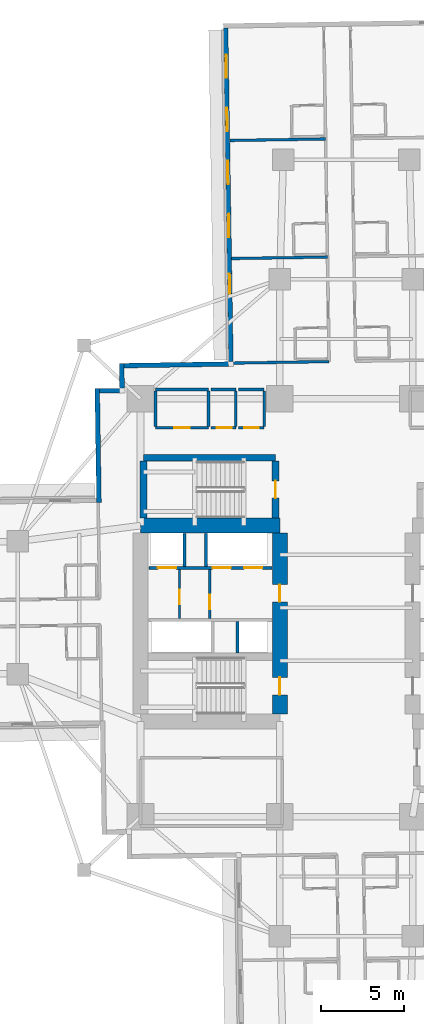
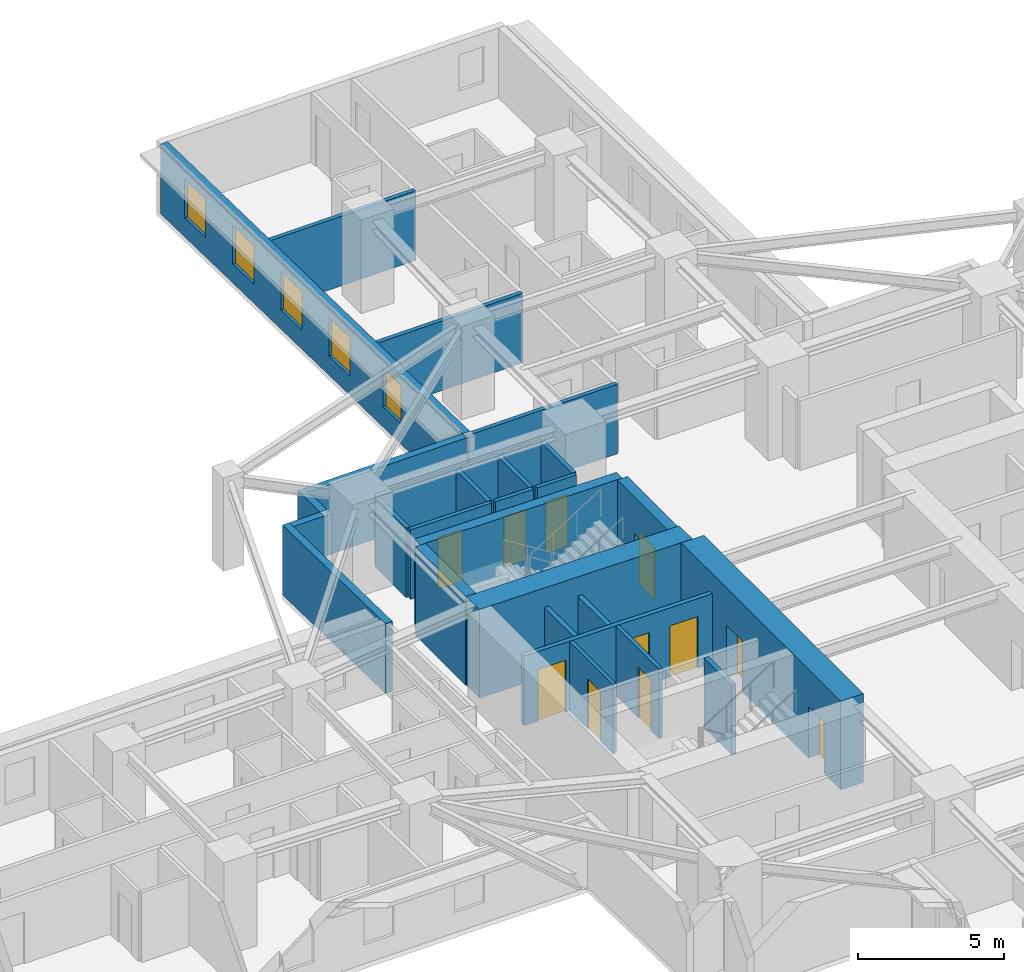
# One storey, part 6 of 14: 29 walls, 11 doors, 5 windows, 16 openings.
"""IFC4 building model written with IfcOpenShell, lengths in metres."""

from ifc_helpers import new_model, si_unit, direction, frame, frame_2d, origin, place, context, subcontext, project, spatial, rectangle, extrude, material, layer, layer_set, type_object, element, fill, save


model = new_model("IFC4")

# Units and contexts
model_context = context("Model", 3, precision=1e-05, world=origin(), true_north=direction((0.0, 1.0)))
body_context = subcontext(model_context, "Body", "Model", "MODEL_VIEW")
ifc_project = project(units=[si_unit("LENGTHUNIT", "METRE"), si_unit("AREAUNIT", "SQUARE_METRE"), si_unit("VOLUMEUNIT", "CUBIC_METRE"), si_unit("PLANEANGLEUNIT", "RADIAN"), si_unit("MASSUNIT", "GRAM", prefix="KILO")], contexts=[model_context])

# Site, building, storey
site_placement = place(None, origin())
site = spatial("IfcSite", under=ifc_project, at=site_placement, CompositionType="ELEMENT")
building_placement = place(site_placement, origin())
building = spatial("IfcBuilding", under=site, at=building_placement, Name="Qingluan Cross Belvedere", CompositionType="ELEMENT")
storey_placement = place(building_placement, frame((0.0, 0.0, 27.60009765625)))
storey = spatial("IfcBuildingStorey", under=building, at=storey_placement, Name="L07", CompositionType="ELEMENT", Elevation=27.60009765625)

# Walls
ifc_material_1 = material(Name="Concrete C50", Category="concrete")
ifc_layer_1 = layer(ifc_material_1, 0.449951171875, Name="CoreShearWall_450")
ifc_layer_set_1 = layer_set([ifc_layer_1], Name="Concrete C50")
wall_type_1 = type_object("IfcWallType", Name="CoreShearWall_450", PredefinedType="SHEAR", material=ifc_layer_set_1)
wall_1_placement = place(storey_placement, frame((-12.219970703125, 9.0400390625, 0.0), z_axis=(0.0, 0.0, 1.0), x_axis=(1.0, 0.0, 0.0)))
element("IfcWall", 1, at=wall_1_placement, inside=storey, type_object=wall_type_1, Name="Stair ST3 structural wall N L07", PredefinedType="SHEAR", context=body_context, shape_type="SweptSolid", body=[
    extrude(rectangle(XDim=7.9599609375, YDim=0.39990234375, at=frame_2d((3.97998046875, 0.0))), origin(), (0.0, 0.0, 1.0), 3.699951171875),
])
wall_2_placement = place(storey_placement, frame((-12.219970703125, 5.405029296875, 0.0), z_axis=(0.0, 0.0, 1.0), x_axis=(0.0, 1.0, 0.0)))
element("IfcWall", 2, at=wall_2_placement, inside=storey, type_object=wall_type_1, Name="Stair ST3 structural wall W L07", PredefinedType="SHEAR", context=body_context, shape_type="SweptSolid", body=[
    extrude(rectangle(XDim=3.429931640625, YDim=0.39990234375, at=frame_2d((1.71484375, 0.0))), origin(), (0.0, 0.0, 1.0), 3.699951171875),
])

# Wall, opening, door
wall_3_placement = place(storey_placement, frame((-4.260009765625, 5.405029296875, 0.0), z_axis=(0.0, 0.0, 1.0), x_axis=(0.0, 1.0, 0.0)))
wall_3 = element("IfcWall", 3, at=wall_3_placement, inside=storey, type_object=wall_type_1, Name="Stair ST3 structural wall E L07", PredefinedType="SHEAR", context=body_context, shape_type="SweptSolid", body=[
    extrude(rectangle(XDim=3.429931640625, YDim=0.39990234375, at=frame_2d((1.71484375, 0.0))), origin(), (0.0, 0.0, 1.0), 3.699951171875),
])
opening_1_placement = place(wall_3_placement, frame((1.195068359375, 0.0, 0.0)))
opening_1 = element("IfcOpeningElement", 4, at=opening_1_placement, cuts=wall_3, Name="Opening FD-B11", PredefinedType="OPENING", context=body_context, shape_type="SweptSolid", body=[
    extrude(rectangle(XDim=1.050048828125, YDim=2.14990234375, at=frame_2d((0.52490234375, 1.074951171875))), frame((0.0, 0.2099609375, 0.0), z_axis=(0.0, -1.0, 0.0), x_axis=(1.0, 0.0, 0.0)), (0.0, 0.0, 1.0), 0.419921875),
])
ifc_material_2 = material(Name="Steel Class B smoke-seal fire door", Category="steel")
door_type_1 = type_object("IfcDoorType", Name="StairLobbyFireDoor_FDB", OperationType="NOTDEFINED", PredefinedType="DOOR", material=ifc_material_2)
door_1_placement = place(opening_1_placement, origin())
door_1 = element("IfcDoor", 5, at=door_1_placement, inside=storey, type_object=door_type_1, Name="Smoke-proof stair ST3 fire door L07", OperationType="SINGLE_SWING_RIGHT", OverallHeight=2.14990234375, OverallWidth=1.050048828125, PredefinedType="DOOR", context=body_context, shape_type="SweptSolid", body=[
    extrude(rectangle(XDim=1.050048828125, YDim=2.14990234375, at=frame_2d((0.52490234375, 1.074951171875))), frame((0.0, 0.02490234375, 0.0), z_axis=(0.0, -1.0, 0.0), x_axis=(1.0, 0.0, 0.0)), (0.0, 0.0, 1.0), 0.050048828125),
])
fill(opening_1, door_1)

# Wall
ifc_material_3 = material(Name="Concrete C70", Category="concrete")
ifc_layer_2 = layer(ifc_material_3, 0.89990234375, Name="CoreShearWall_900")
ifc_layer_set_2 = layer_set([ifc_layer_2], Name="Concrete C70")
wall_type_2 = type_object("IfcWallType", Name="CoreShearWall_900", PredefinedType="SHEAR", material=ifc_layer_set_2)
wall_4_placement = place(storey_placement, frame((-12.39990234375, 4.949951171875, 0.0), z_axis=(0.0, 0.0, 1.0), x_axis=(1.0, 0.0, 0.0)))
element("IfcWall", 6, at=wall_4_placement, inside=storey, type_object=wall_type_2, Name="Split core W shear wall L07-N", PredefinedType="SHEAR", context=body_context, shape_type="SweptSolid", body=[
    extrude(rectangle(XDim=8.39990234375, YDim=0.89990234375, at=frame_2d((4.199951171875, 0.0))), origin(), (0.0, 0.0, 1.0), 3.699951171875),
])

# Wall, openings, doors
wall_5_placement = place(storey_placement, frame((-4.0, -6.39501953125, 0.0), z_axis=(0.0, 0.0, 1.0), x_axis=(0.0, 1.0, 0.0)))
wall_5 = element("IfcWall", 7, at=wall_5_placement, inside=storey, type_object=wall_type_2, Name="Split core W shear wall L07-E", PredefinedType="SHEAR", context=body_context, shape_type="SweptSolid", body=[
    extrude(rectangle(XDim=10.89013671875, YDim=0.89990234375, at=frame_2d((5.445068359375, 0.0))), origin(), (0.0, 0.0, 1.0), 3.699951171875),
])
opening_2_placement = place(wall_5_placement, frame((1.14501953125, 0.0, 0.0)))
opening_2 = element("IfcOpeningElement", 8, at=opening_2_placement, cuts=wall_5, Name="Opening FD-B11", PredefinedType="OPENING", context=body_context, shape_type="SweptSolid", body=[
    extrude(rectangle(XDim=1.050048828125, YDim=2.14990234375, at=frame_2d((0.52490234375, 1.074951171875))), frame((0.0, 0.4599609375, 0.0), z_axis=(0.0, -1.0, 0.0), x_axis=(1.0, 0.0, 0.0)), (0.0, 0.0, 1.0), 0.919921875),
])
opening_3_placement = place(wall_5_placement, frame((6.7451171875, 0.0, 0.0)))
opening_3 = element("IfcOpeningElement", 9, at=opening_3_placement, cuts=wall_5, Name="Opening FD-B11", PredefinedType="OPENING", context=body_context, shape_type="SweptSolid", body=[
    extrude(rectangle(XDim=1.050048828125, YDim=2.14990234375, at=frame_2d((0.52490234375, 1.074951171875))), frame((0.0, 0.4599609375, 0.0), z_axis=(0.0, -1.0, 0.0), x_axis=(1.0, 0.0, 0.0)), (0.0, 0.0, 1.0), 0.919921875),
])
door_2_placement = place(opening_2_placement, origin())
door_2 = element("IfcDoor", 10, at=door_2_placement, inside=storey, type_object=door_type_1, Name="Smoke-proof stair ST1 fire door L07", OperationType="SINGLE_SWING_RIGHT", OverallHeight=2.14990234375, OverallWidth=1.050048828125, PredefinedType="DOOR", context=body_context, shape_type="SweptSolid", body=[
    extrude(rectangle(XDim=1.050048828125, YDim=2.14990234375, at=frame_2d((0.52490234375, 1.074951171875))), frame((0.0, 0.02490234375, 0.0), z_axis=(0.0, -1.0, 0.0), x_axis=(1.0, 0.0, 0.0)), (0.0, 0.0, 1.0), 0.050048828125),
])
fill(opening_2, door_2)
door_3_placement = place(opening_3_placement, origin())
door_3 = element("IfcDoor", 11, at=door_3_placement, inside=storey, type_object=door_type_1, Name="Firefighting lobby West fire door L07", OperationType="SINGLE_SWING_RIGHT", OverallHeight=2.14990234375, OverallWidth=1.050048828125, PredefinedType="DOOR", context=body_context, shape_type="SweptSolid", body=[
    extrude(rectangle(XDim=1.050048828125, YDim=2.14990234375, at=frame_2d((0.52490234375, 1.074951171875))), frame((0.0, 0.02490234375, 0.0), z_axis=(0.0, -1.0, 0.0), x_axis=(1.0, 0.0, 0.0)), (0.0, 0.0, 1.0), 0.050048828125),
])
fill(opening_3, door_3)

# Wall, opening, door
ifc_material_4 = material(Name="Gypsum plasterboard on steel stud acoustic partition", Category="steel")
ifc_layer_3 = layer(ifc_material_4, 0.159912109375, Name="CorridorPartition_160")
ifc_layer_set_3 = layer_set([ifc_layer_3], Name="Gypsum plasterboard on steel stud acoustic partition")
wall_type_3 = type_object("IfcWallType", Name="CorridorPartition_160", PredefinedType="PARTITIONING", material=ifc_layer_set_3)
wall_6_placement = place(storey_placement, frame((-10.050048828125, -0.652099609375, 0.0), z_axis=(0.0, 0.0, 1.0), x_axis=(0.0, 1.0, 0.0)))
wall_6 = element("IfcWall", 12, at=wall_6_placement, inside=storey, type_object=wall_type_3, Name="Partition L07:wv", PredefinedType="PARTITIONING", context=body_context, shape_type="SweptSolid", body=[
    extrude(rectangle(XDim=2.962158203125, YDim=0.139892578125, at=frame_2d((1.48095703125, 0.0))), origin(), (0.0, 0.0, 1.0), 2.89990234375),
])
opening_4_placement = place(wall_6_placement, frame((0.85009765625, 0.0, 0.0)))
opening_4 = element("IfcOpeningElement", 13, at=opening_4_placement, cuts=wall_6, Name="Opening FD-B10", PredefinedType="OPENING", context=body_context, shape_type="SweptSolid", body=[
    extrude(rectangle(XDim=0.8798828125, YDim=2.10009765625, at=frame_2d((0.43994140625, 1.050048828125))), frame((0.0, 0.079833984375, 0.0), z_axis=(0.0, -1.0, 0.0), x_axis=(1.0, 0.0, 0.0)), (0.0, 0.0, 1.0), 0.159912109375),
])
ifc_material_5 = material(Name="Steel Class B service fire door", Category="steel")
door_type_2 = type_object("IfcDoorType", Name="RiserServiceFireDoor_FDB", OperationType="NOTDEFINED", PredefinedType="DOOR", material=ifc_material_5)
door_4_placement = place(opening_4_placement, origin())
door_4 = element("IfcDoor", 14, at=door_4_placement, inside=storey, type_object=door_type_2, Name="Service closet inner door L07", OperationType="SINGLE_SWING_RIGHT", OverallHeight=2.10009765625, OverallWidth=0.8798828125, PredefinedType="DOOR", context=body_context, shape_type="SweptSolid", body=[
    extrude(rectangle(XDim=0.8798828125, YDim=2.10009765625, at=frame_2d((0.43994140625, 1.050048828125))), frame((0.0, 0.02490234375, 0.0), z_axis=(0.0, -1.0, 0.0), x_axis=(1.0, 0.0, 0.0)), (0.0, 0.0, 1.0), 0.050048828125),
])
fill(opening_4, door_4)

wall_7_placement = place(storey_placement, frame((-11.5, 10.85009765625, 0.0), z_axis=(0.0, 0.0, 1.0), x_axis=(1.0, 0.0, 0.0)))
wall_7 = element("IfcWall", 15, at=wall_7_placement, inside=storey, type_object=wall_type_3, Name="Partition L07:q_nw_occ:S", PredefinedType="PARTITIONING", context=body_context, shape_type="SweptSolid", body=[
    extrude(rectangle(XDim=3.199951171875, YDim=0.159912109375, at=frame_2d((1.60009765625, 0.0))), origin(), (0.0, 0.0, 1.0), 2.89990234375),
])
opening_5_placement = place(wall_7_placement, frame((1.1201171875, 0.0, 0.0)))
opening_5 = element("IfcOpeningElement", 16, at=opening_5_placement, cuts=wall_7, Name="Opening GD-10", PredefinedType="OPENING", context=body_context, shape_type="SweptSolid", body=[
    extrude(rectangle(XDim=0.9599609375, YDim=2.14990234375, at=frame_2d((0.47998046875, 1.074951171875))), frame((0.0, 0.08984375, 0.0), z_axis=(0.0, -1.0, 0.0), x_axis=(1.0, 0.0, 0.0)), (0.0, 0.0, 1.0), 0.179931640625),
])
ifc_material_6 = material(Name="Timber oak fire-rated acoustic guestroom door", Category="wood")
door_type_3 = type_object("IfcDoorType", Name="GuestEntryDoor_FD60", OperationType="NOTDEFINED", PredefinedType="DOOR", material=ifc_material_6)
door_5_placement = place(opening_5_placement, origin())
door_5 = element("IfcDoor", 17, at=door_5_placement, inside=storey, type_object=door_type_3, Name="Northwest corner reading salon L07 door", OperationType="SINGLE_SWING_RIGHT", OverallHeight=2.14990234375, OverallWidth=0.9599609375, PredefinedType="DOOR", context=body_context, shape_type="SweptSolid", body=[
    extrude(rectangle(XDim=0.9599609375, YDim=2.14990234375, at=frame_2d((0.47998046875, 1.074951171875))), frame((0.0, 0.02490234375, 0.0), z_axis=(0.0, -1.0, 0.0), x_axis=(1.0, 0.0, 0.0)), (0.0, 0.0, 1.0), 0.050048828125),
])
fill(opening_5, door_5)

# Walls
wall_8_placement = place(storey_placement, frame((-11.5, 13.14990234375, 0.0), z_axis=(0.0, 0.0, 1.0), x_axis=(1.0, 0.0, 0.0)))
element("IfcWall", 18, at=wall_8_placement, inside=storey, type_object=wall_type_3, Name="Partition L07:q_nw_occ:N", PredefinedType="PARTITIONING", context=body_context, shape_type="SweptSolid", body=[
    extrude(rectangle(XDim=3.199951171875, YDim=0.159912109375, at=frame_2d((1.60009765625, 0.0))), origin(), (0.0, 0.0, 1.0), 2.89990234375),
])
for number, where, z_axis, x_axis, name in (
    (19, (-11.5, 10.93505859375, 0.0), (0.0, 0.0, 1.0), (0.0, 1.0, 0.0), "Partition L07:q_nw_occ:W"),
    (20, (-8.300048828125, 10.93505859375, 0.0), (0.0, 0.0, 1.0), (0.0, 1.0, 0.0), "Partition L07:q_nw_occ:E"),
):
    element("IfcWall", number, at=place(storey_placement, frame(where, z_axis=z_axis, x_axis=x_axis)), inside=storey, type_object=wall_type_3, Name=name, PredefinedType="PARTITIONING", context=body_context, shape_type="SweptSolid", body=[
        extrude(rectangle(XDim=2.1298828125, YDim=0.159912109375, at=frame_2d((1.06494140625, 0.0))), origin(), (0.0, 0.0, 1.0), 2.89990234375),
    ])

# Wall, opening, door
wall_9_placement = place(storey_placement, frame((-8.139892578125, 10.85009765625, 0.0), z_axis=(0.0, 0.0, 1.0), x_axis=(1.0, 0.0, 0.0)))
wall_9 = element("IfcWall", 21, at=wall_9_placement, inside=storey, type_object=wall_type_3, Name="Partition L07:hk_linen:S", PredefinedType="PARTITIONING", context=body_context, shape_type="SweptSolid", body=[
    extrude(rectangle(XDim=1.489990234375, YDim=0.159912109375, at=frame_2d((0.7451171875, 0.0))), origin(), (0.0, 0.0, 1.0), 2.89990234375),
])
opening_6_placement = place(wall_9_placement, frame((0.35009765625, 0.0, 0.0)))
opening_6 = element("IfcOpeningElement", 22, at=opening_6_placement, cuts=wall_9, Name="Opening FD-B10", PredefinedType="OPENING", context=body_context, shape_type="SweptSolid", body=[
    extrude(rectangle(XDim=0.8798828125, YDim=2.10009765625, at=frame_2d((0.43994140625, 1.050048828125))), frame((0.0, 0.08984375, 0.0), z_axis=(0.0, -1.0, 0.0), x_axis=(1.0, 0.0, 0.0)), (0.0, 0.0, 1.0), 0.179931640625),
])
door_6_placement = place(opening_6_placement, origin())
door_6 = element("IfcDoor", 23, at=door_6_placement, inside=storey, type_object=door_type_2, Name="Housekeeping and linen store L07 door", OperationType="SINGLE_SWING_LEFT", OverallHeight=2.10009765625, OverallWidth=0.8798828125, PredefinedType="DOOR", context=body_context, shape_type="SweptSolid", body=[
    extrude(rectangle(XDim=0.8798828125, YDim=2.10009765625, at=frame_2d((0.43994140625, 1.050048828125))), frame((0.0, 0.02490234375, 0.0), z_axis=(0.0, -1.0, 0.0), x_axis=(1.0, 0.0, 0.0)), (0.0, 0.0, 1.0), 0.050048828125),
])
fill(opening_6, door_6)

# Walls
wall_10_placement = place(storey_placement, frame((-8.139892578125, 13.14990234375, 0.0), z_axis=(0.0, 0.0, 1.0), x_axis=(1.0, 0.0, 0.0)))
element("IfcWall", 24, at=wall_10_placement, inside=storey, type_object=wall_type_3, Name="Partition L07:hk_linen:N", PredefinedType="PARTITIONING", context=body_context, shape_type="SweptSolid", body=[
    extrude(rectangle(XDim=1.489990234375, YDim=0.159912109375, at=frame_2d((0.7451171875, 0.0))), origin(), (0.0, 0.0, 1.0), 2.89990234375),
])
wall_11_placement = place(storey_placement, frame((-6.64990234375, 10.93505859375, 0.0), z_axis=(0.0, 0.0, 1.0), x_axis=(0.0, 1.0, 0.0)))
element("IfcWall", 25, at=wall_11_placement, inside=storey, type_object=wall_type_3, Name="Partition L07:hk_linen:E", PredefinedType="PARTITIONING", context=body_context, shape_type="SweptSolid", body=[
    extrude(rectangle(XDim=2.1298828125, YDim=0.159912109375, at=frame_2d((1.06494140625, 0.0))), origin(), (0.0, 0.0, 1.0), 2.89990234375),
])

# Wall, opening, door
wall_12_placement = place(storey_placement, frame((-6.489990234375, 10.85009765625, 0.0), z_axis=(0.0, 0.0, 1.0), x_axis=(1.0, 0.0, 0.0)))
wall_12 = element("IfcWall", 26, at=wall_12_placement, inside=storey, type_object=wall_type_3, Name="Partition L07:floor_acc_wc:S", PredefinedType="PARTITIONING", context=body_context, shape_type="SweptSolid", body=[
    extrude(rectangle(XDim=1.5400390625, YDim=0.159912109375, at=frame_2d((0.77001953125, 0.0))), origin(), (0.0, 0.0, 1.0), 2.89990234375),
])
opening_7_placement = place(wall_12_placement, frame((0.35009765625, 0.0, 0.0)))
opening_7 = element("IfcOpeningElement", 27, at=opening_7_placement, cuts=wall_12, Name="Opening BD-08", PredefinedType="OPENING", context=body_context, shape_type="SweptSolid", body=[
    extrude(rectangle(XDim=0.8798828125, YDim=2.14990234375, at=frame_2d((0.43994140625, 1.074951171875))), frame((0.0, 0.08984375, 0.0), z_axis=(0.0, -1.0, 0.0), x_axis=(1.0, 0.0, 0.0)), (0.0, 0.0, 1.0), 0.179931640625),
])
ifc_material_7 = material(Name="Moisture-sealed timber accessible WC door", Category="wood")
door_type_4 = type_object("IfcDoorType", Name="AccessibleWCDoor_880", OperationType="NOTDEFINED", PredefinedType="DOOR", material=ifc_material_7)
door_7_placement = place(opening_7_placement, origin())
door_7 = element("IfcDoor", 28, at=door_7_placement, inside=storey, type_object=door_type_4, Name="Accessible guest washroom L07 door", OperationType="SINGLE_SWING_RIGHT", OverallHeight=2.14990234375, OverallWidth=0.8798828125, PredefinedType="DOOR", context=body_context, shape_type="SweptSolid", body=[
    extrude(rectangle(XDim=0.8798828125, YDim=2.14990234375, at=frame_2d((0.43994140625, 1.074951171875))), frame((0.0, 0.02490234375, 0.0), z_axis=(0.0, -1.0, 0.0), x_axis=(1.0, 0.0, 0.0)), (0.0, 0.0, 1.0), 0.050048828125),
])
fill(opening_7, door_7)

# Walls
wall_13_placement = place(storey_placement, frame((-6.489990234375, 13.14990234375, 0.0), z_axis=(0.0, 0.0, 1.0), x_axis=(1.0, 0.0, 0.0)))
element("IfcWall", 29, at=wall_13_placement, inside=storey, type_object=wall_type_3, Name="Partition L07:floor_acc_wc:N", PredefinedType="PARTITIONING", context=body_context, shape_type="SweptSolid", body=[
    extrude(rectangle(XDim=1.5400390625, YDim=0.159912109375, at=frame_2d((0.77001953125, 0.0))), origin(), (0.0, 0.0, 1.0), 2.89990234375),
])
wall_14_placement = place(storey_placement, frame((-4.949951171875, 10.93505859375, 0.0), z_axis=(0.0, 0.0, 1.0), x_axis=(0.0, 1.0, 0.0)))
element("IfcWall", 30, at=wall_14_placement, inside=storey, type_object=wall_type_3, Name="Partition L07:floor_acc_wc:E", PredefinedType="PARTITIONING", context=body_context, shape_type="SweptSolid", body=[
    extrude(rectangle(XDim=2.1298828125, YDim=0.159912109375, at=frame_2d((1.06494140625, 0.0))), origin(), (0.0, 0.0, 1.0), 2.89990234375),
])
wall_15_placement = place(storey_placement, frame((-1.033203125, 14.835693359375, 0.0), z_axis=(0.0, 0.0, 1.0), x_axis=(-0.999876548847, -0.015712640343, 0.0)))
element("IfcWall", 31, at=wall_15_placement, inside=storey, type_object=wall_type_3, Name="Partition L07:N:s1", PredefinedType="PARTITIONING", context=body_context, shape_type="SweptSolid", body=[
    extrude(rectangle(XDim=5.919921875, YDim=0.159912109375, at=frame_2d((2.9599609375, 0.0))), origin(), (0.0, 0.0, 1.0), 2.89990234375),
])
for number, where, z_axis, x_axis, name in (
    (32, (-1.132080078125, 21.13671875, 0.0), (0.0, 0.0, 1.0), (-0.999876865599, -0.015692470796, 0.0), "Partition L07:N:d1_0"),
    (33, (-1.243896484375, 28.251953125, 0.0), (0.0, 0.0, 1.0), (-0.999876865599, -0.015692470796, 0.0), "Partition L07:N:d1_1"),
):
    element("IfcWall", number, at=place(storey_placement, frame(where, z_axis=z_axis, x_axis=x_axis)), inside=storey, type_object=wall_type_3, Name=name, PredefinedType="PARTITIONING", context=body_context, shape_type="SweptSolid", body=[
        extrude(rectangle(XDim=5.77197265625, YDim=0.159912109375, at=frame_2d((2.885986328125, 0.0))), origin(), (0.0, 0.0, 1.0), 2.89990234375),
    ])

# Wall, openings, windows
ifc_material_8 = material(Name="Precast concrete C45", Category="concrete")
ifc_layer_4 = layer(ifc_material_8, 0.280029296875, Name="PrecastFacadeWall_280")
ifc_layer_set_4 = layer_set([ifc_layer_4], Name="Precast concrete C45")
wall_type_4 = type_object("IfcWallType", Name="PrecastFacadeWall_280", PredefinedType="STANDARD", material=ifc_layer_set_4)
wall_16_placement = place(storey_placement, frame((-7.26953125, 34.93017578125, 0.0), z_axis=(0.0, 0.0, 1.0), x_axis=(0.015705059908, -0.999876667941, 0.0)))
wall_16 = element("IfcWall", 34, at=wall_16_placement, inside=storey, type_object=wall_type_4, Name="Facade wall L07-NB", PredefinedType="STANDARD", context=body_context, shape_type="SweptSolid", body=[
    extrude(rectangle(XDim=20.10009765625, YDim=0.280029296875, at=frame_2d((10.050048828125, 0.0))), origin(), (0.0, 0.0, 1.0), 2.909912109375),
])
opening_8_placement = place(wall_16_placement, frame((1.60009765625, 0.0, 0.800048828125)))
opening_8 = element("IfcOpeningElement", 35, at=opening_8_placement, cuts=wall_16, Name="Opening W-01", PredefinedType="OPENING", context=body_context, shape_type="SweptSolid", body=[
    extrude(rectangle(XDim=1.39990234375, YDim=1.60009765625, at=frame_2d((0.699951171875, 0.800048828125))), frame((0.0, 0.14990234375, 0.0), z_axis=(0.0, -1.0, 0.0), x_axis=(1.0, 0.0, 0.0)), (0.0, 0.0, 1.0), 0.300048828125),
])
opening_9_placement = place(wall_16_placement, frame((4.800048828125, 0.0, 0.800048828125)))
opening_9 = element("IfcOpeningElement", 36, at=opening_9_placement, cuts=wall_16, Name="Opening W-01", PredefinedType="OPENING", context=body_context, shape_type="SweptSolid", body=[
    extrude(rectangle(XDim=1.39990234375, YDim=1.60009765625, at=frame_2d((0.699951171875, 0.800048828125))), frame((0.0, 0.14990234375, 0.0), z_axis=(0.0, -1.0, 0.0), x_axis=(1.0, 0.0, 0.0)), (0.0, 0.0, 1.0), 0.300048828125),
])
opening_10_placement = place(wall_16_placement, frame((8.0, 0.0, 0.800048828125)))
opening_10 = element("IfcOpeningElement", 37, at=opening_10_placement, cuts=wall_16, Name="Opening W-01", PredefinedType="OPENING", context=body_context, shape_type="SweptSolid", body=[
    extrude(rectangle(XDim=1.39990234375, YDim=1.60009765625, at=frame_2d((0.699951171875, 0.800048828125))), frame((0.0, 0.14990234375, 0.0), z_axis=(0.0, -1.0, 0.0), x_axis=(1.0, 0.0, 0.0)), (0.0, 0.0, 1.0), 0.300048828125),
])
opening_11_placement = place(wall_16_placement, frame((11.199951171875, 0.0, 0.800048828125)))
opening_11 = element("IfcOpeningElement", 38, at=opening_11_placement, cuts=wall_16, Name="Opening W-01", PredefinedType="OPENING", context=body_context, shape_type="SweptSolid", body=[
    extrude(rectangle(XDim=1.39990234375, YDim=1.60009765625, at=frame_2d((0.699951171875, 0.800048828125))), frame((0.0, 0.14990234375, 0.0), z_axis=(0.0, -1.0, 0.0), x_axis=(1.0, 0.0, 0.0)), (0.0, 0.0, 1.0), 0.300048828125),
])
opening_12_placement = place(wall_16_placement, frame((14.799072265625, 0.0, 0.85009765625)))
opening_12 = element("IfcOpeningElement", 39, at=opening_12_placement, cuts=wall_16, Name="Opening W-02", PredefinedType="OPENING", context=body_context, shape_type="SweptSolid", body=[
    extrude(rectangle(XDim=1.199951171875, YDim=1.60009765625, at=frame_2d((0.60009765625, 0.800048828125))), frame((0.0, 0.14990234375, 0.0), z_axis=(0.0, -1.0, 0.0), x_axis=(1.0, 0.0, 0.0)), (0.0, 0.0, 1.0), 0.300048828125),
])
ifc_material_9 = material(Name="Thermally broken triple Low-E glass in aluminium frame", Category="aluminium")
window_type_1 = type_object("IfcWindowType", Name="TriRibbonWin_1200x1600", PartitioningType="SINGLE_PANEL", PredefinedType="WINDOW", material=ifc_material_9)
window_1_placement = place(opening_12_placement, origin())
window_1 = element("IfcWindow", 40, at=window_1_placement, inside=storey, type_object=window_type_1, Name="Deluxe guest room 0716 daylight window", OverallHeight=1.60009765625, OverallWidth=1.199951171875, PartitioningType="SINGLE_PANEL", PredefinedType="WINDOW", context=body_context, shape_type="SweptSolid", body=[
    extrude(rectangle(XDim=1.199951171875, YDim=1.60009765625, at=frame_2d((0.60009765625, 0.800048828125))), frame((0.0, 0.030029296875, 0.0), z_axis=(0.0, -1.0, 0.0), x_axis=(1.0, 0.0, 0.0)), (0.0, 0.0, 1.0), 0.06005859375),
])
fill(opening_12, window_1)
ifc_material_10 = material(Name="Thermally broken triple Low-E glass in aluminium frame", Category="aluminium")
window_type_2 = type_object("IfcWindowType", Name="TriRibbonWin_1400x1600", PartitioningType="SINGLE_PANEL", PredefinedType="WINDOW", material=ifc_material_10)
window_2_placement = place(opening_8_placement, origin())
window_2 = element("IfcWindow", 41, at=window_2_placement, inside=storey, type_object=window_type_2, Name="Ribbon window L07-NB-1", OverallHeight=1.60009765625, OverallWidth=1.39990234375, PartitioningType="SINGLE_PANEL", PredefinedType="WINDOW", context=body_context, shape_type="SweptSolid", body=[
    extrude(rectangle(XDim=1.39990234375, YDim=1.60009765625, at=frame_2d((0.699951171875, 0.800048828125))), frame((0.0, 0.030029296875, 0.0), z_axis=(0.0, -1.0, 0.0), x_axis=(1.0, 0.0, 0.0)), (0.0, 0.0, 1.0), 0.06005859375),
])
fill(opening_8, window_2)
window_3_placement = place(opening_9_placement, origin())
window_3 = element("IfcWindow", 42, at=window_3_placement, inside=storey, type_object=window_type_2, Name="Ribbon window L07-NB-2", OverallHeight=1.60009765625, OverallWidth=1.39990234375, PartitioningType="SINGLE_PANEL", PredefinedType="WINDOW", context=body_context, shape_type="SweptSolid", body=[
    extrude(rectangle(XDim=1.39990234375, YDim=1.60009765625, at=frame_2d((0.699951171875, 0.800048828125))), frame((0.0, 0.030029296875, 0.0), z_axis=(0.0, -1.0, 0.0), x_axis=(1.0, 0.0, 0.0)), (0.0, 0.0, 1.0), 0.06005859375),
])
fill(opening_9, window_3)
window_4_placement = place(opening_10_placement, origin())
window_4 = element("IfcWindow", 43, at=window_4_placement, inside=storey, type_object=window_type_2, Name="Ribbon window L07-NB-3", OverallHeight=1.60009765625, OverallWidth=1.39990234375, PartitioningType="SINGLE_PANEL", PredefinedType="WINDOW", context=body_context, shape_type="SweptSolid", body=[
    extrude(rectangle(XDim=1.39990234375, YDim=1.60009765625, at=frame_2d((0.699951171875, 0.800048828125))), frame((0.0, 0.030029296875, 0.0), z_axis=(0.0, -1.0, 0.0), x_axis=(1.0, 0.0, 0.0)), (0.0, 0.0, 1.0), 0.06005859375),
])
fill(opening_10, window_4)
window_5_placement = place(opening_11_placement, origin())
window_5 = element("IfcWindow", 44, at=window_5_placement, inside=storey, type_object=window_type_2, Name="Ribbon window L07-NB-4", OverallHeight=1.60009765625, OverallWidth=1.39990234375, PartitioningType="SINGLE_PANEL", PredefinedType="WINDOW", context=body_context, shape_type="SweptSolid", body=[
    extrude(rectangle(XDim=1.39990234375, YDim=1.60009765625, at=frame_2d((0.699951171875, 0.800048828125))), frame((0.0, 0.030029296875, 0.0), z_axis=(0.0, -1.0, 0.0), x_axis=(1.0, 0.0, 0.0)), (0.0, 0.0, 1.0), 0.06005859375),
])
fill(opening_11, window_5)

# Walls
wall_17_placement = place(storey_placement, frame((-14.901611328125, 6.3466796875, 0.0), z_axis=(0.0, 0.0, 1.0), x_axis=(-0.015694809807, 0.999876828887, 0.0)))
element("IfcWall", 45, at=wall_17_placement, inside=storey, type_object=wall_type_4, Name="Corner wall L07-NW1", PredefinedType="STANDARD", context=body_context, shape_type="SweptSolid", body=[
    extrude(rectangle(XDim=6.85986328125, YDim=0.280029296875, at=frame_2d((3.429931640625, 0.0))), origin(), (0.0, 0.0, 1.0), 2.909912109375),
])
wall_18_placement = place(storey_placement, frame((-14.8671875, 13.068115234375, 0.0), z_axis=(0.0, 0.0, 1.0), x_axis=(0.999875053502, 0.015807510352, 0.0)))
element("IfcWall", 46, at=wall_18_placement, inside=storey, type_object=wall_type_4, Name="Corner wall L07-NW2", PredefinedType="STANDARD", context=body_context, shape_type="SweptSolid", body=[
    extrude(rectangle(XDim=1.22021484375, YDim=0.280029296875, at=frame_2d((0.610107421875, 0.0))), origin(), (0.0, 0.0, 1.0), 2.909912109375),
])
wall_19_placement = place(storey_placement, frame((-13.509521484375, 13.2294921875, 0.0), z_axis=(0.0, 0.0, 1.0), x_axis=(-0.015625635615, 0.999877912303, 0.0)))
element("IfcWall", 47, at=wall_19_placement, inside=storey, type_object=wall_type_4, Name="Corner wall L07-NW3", PredefinedType="STANDARD", context=body_context, shape_type="SweptSolid", body=[
    extrude(rectangle(XDim=1.5, YDim=0.280029296875, at=frame_2d((0.75, 0.0))), origin(), (0.0, 0.0, 1.0), 2.909912109375),
])
wall_20_placement = place(storey_placement, frame((-13.390869140625, 14.591552734375, 0.0), z_axis=(0.0, 0.0, 1.0), x_axis=(0.999876833368, 0.015694524359, 0.0)))
element("IfcWall", 48, at=wall_20_placement, inside=storey, type_object=wall_type_4, Name="Corner wall L07-NW4", PredefinedType="STANDARD", context=body_context, shape_type="SweptSolid", body=[
    extrude(rectangle(XDim=6.300048828125, YDim=0.280029296875, at=frame_2d((3.14990234375, 0.0))), origin(), (0.0, 0.0, 1.0), 2.909912109375),
])

# Wall, openings, doors
ifc_material_11 = material(Name="Concrete C40", Category="concrete")
ifc_layer_5 = layer(ifc_material_11, 0.219970703125, Name="ShaftEnclosureWall_250")
ifc_layer_set_5 = layer_set([ifc_layer_5], Name="Concrete C40")
wall_type_5 = type_object("IfcWallType", Name="ShaftEnclosureWall_250", PredefinedType="SOLIDWALL", material=ifc_layer_set_5)
wall_21_placement = place(storey_placement, frame((-11.89990234375, 2.409912109375, 0.0), z_axis=(0.0, 0.0, 1.0), x_axis=(1.0, 0.0, 0.0)))
wall_21 = element("IfcWall", 49, at=wall_21_placement, inside=storey, type_object=wall_type_5, Name="Core-W north hoistway wall L07", PredefinedType="SOLIDWALL", context=body_context, shape_type="SweptSolid", body=[
    extrude(rectangle(XDim=7.419921875, YDim=0.179931640625, at=frame_2d((3.7099609375, 0.0))), origin(), (0.0, 0.0, 1.0), 2.89990234375),
])
opening_13_placement = place(wall_21_placement, frame((0.550048828125, 0.0, 0.0)))
opening_13 = element("IfcOpeningElement", 50, at=opening_13_placement, cuts=wall_21, Name="Opening LD-11", PredefinedType="OPENING", context=body_context, shape_type="SweptSolid", body=[
    extrude(rectangle(XDim=1.10009765625, YDim=2.14990234375, at=frame_2d((0.550048828125, 1.074951171875))), frame((0.0, 0.099853515625, 0.0), z_axis=(0.0, -1.0, 0.0), x_axis=(1.0, 0.0, 0.0)), (0.0, 0.0, 1.0), 0.199951171875),
])
opening_14_placement = place(wall_21_placement, frame((3.85009765625, 0.0, 0.0)))
opening_14 = element("IfcOpeningElement", 51, at=opening_14_placement, cuts=wall_21, Name="Opening LD-11", PredefinedType="OPENING", context=body_context, shape_type="SweptSolid", body=[
    extrude(rectangle(XDim=1.10009765625, YDim=2.14990234375, at=frame_2d((0.550048828125, 1.074951171875))), frame((0.0, 0.099853515625, 0.0), z_axis=(0.0, -1.0, 0.0), x_axis=(1.0, 0.0, 0.0)), (0.0, 0.0, 1.0), 0.199951171875),
])
opening_15_placement = place(wall_21_placement, frame((5.75, 0.0, 0.0)))
opening_15 = element("IfcOpeningElement", 52, at=opening_15_placement, cuts=wall_21, Name="Opening LD-11", PredefinedType="OPENING", context=body_context, shape_type="SweptSolid", body=[
    extrude(rectangle(XDim=1.10009765625, YDim=2.14990234375, at=frame_2d((0.550048828125, 1.074951171875))), frame((0.0, 0.099853515625, 0.0), z_axis=(0.0, -1.0, 0.0), x_axis=(1.0, 0.0, 0.0)), (0.0, 0.0, 1.0), 0.199951171875),
])
ifc_material_12 = material(Name="Brushed stainless steel centre-opening lift landing door", Category="steel")
door_type_5 = type_object("IfcDoorType", Name="LiftLandingSlidingDoor_1100", OperationType="DOUBLE_DOOR_SLIDING", PredefinedType="DOOR", material=ifc_material_12)
door_8_placement = place(opening_13_placement, origin())
door_8 = element("IfcDoor", 53, at=door_8_placement, inside=storey, type_object=door_type_5, Name="Lift landing sliding door FL1 L07", OperationType="DOUBLE_DOOR_SLIDING", OverallHeight=2.14990234375, OverallWidth=1.10009765625, PredefinedType="DOOR", context=body_context, shape_type="SweptSolid", body=[
    extrude(rectangle(XDim=1.10009765625, YDim=2.14990234375, at=frame_2d((0.550048828125, 1.074951171875))), frame((0.0, 0.02490234375, 0.0), z_axis=(0.0, -1.0, 0.0), x_axis=(1.0, 0.0, 0.0)), (0.0, 0.0, 1.0), 0.050048828125),
])
fill(opening_13, door_8)
door_9_placement = place(opening_14_placement, origin())
door_9 = element("IfcDoor", 54, at=door_9_placement, inside=storey, type_object=door_type_5, Name="Lift landing sliding door LP1 L07", OperationType="DOUBLE_DOOR_SLIDING", OverallHeight=2.14990234375, OverallWidth=1.10009765625, PredefinedType="DOOR", context=body_context, shape_type="SweptSolid", body=[
    extrude(rectangle(XDim=1.10009765625, YDim=2.14990234375, at=frame_2d((0.550048828125, 1.074951171875))), frame((0.0, 0.02490234375, 0.0), z_axis=(0.0, -1.0, 0.0), x_axis=(1.0, 0.0, 0.0)), (0.0, 0.0, 1.0), 0.050048828125),
])
fill(opening_14, door_9)
door_10_placement = place(opening_15_placement, origin())
door_10 = element("IfcDoor", 55, at=door_10_placement, inside=storey, type_object=door_type_5, Name="Lift landing sliding door LP2 L07", OperationType="DOUBLE_DOOR_SLIDING", OverallHeight=2.14990234375, OverallWidth=1.10009765625, PredefinedType="DOOR", context=body_context, shape_type="SweptSolid", body=[
    extrude(rectangle(XDim=1.10009765625, YDim=2.14990234375, at=frame_2d((0.550048828125, 1.074951171875))), frame((0.0, 0.02490234375, 0.0), z_axis=(0.0, -1.0, 0.0), x_axis=(1.0, 0.0, 0.0)), (0.0, 0.0, 1.0), 0.050048828125),
])
fill(opening_15, door_10)

# Walls
for number, where, z_axis, x_axis, name in (
    (56, (-9.760009765625, 2.5, 0.0), (0.0, 0.0, 1.0), (0.0, 1.0, 0.0), "Hoistway enclosure divider FL1E L07"),
    (57, (-8.43994140625, 2.5, 0.0), (0.0, 0.0, 1.0), (0.0, 1.0, 0.0), "Hoistway enclosure divider LP1W L07"),
):
    element("IfcWall", number, at=place(storey_placement, frame(where, z_axis=z_axis, x_axis=x_axis)), inside=storey, type_object=wall_type_5, Name=name, PredefinedType="SOLIDWALL", context=body_context, shape_type="SweptSolid", body=[
        extrude(rectangle(XDim=1.989990234375, YDim=0.179931640625, at=frame_2d((0.9951171875, 0.0))), origin(), (0.0, 0.0, 1.0), 2.89990234375),
    ])
wall_22_placement = place(storey_placement, frame((-6.5400390625, -2.72998046875, 0.0), z_axis=(0.0, 0.0, 1.0), x_axis=(0.0, 1.0, 0.0)))
element("IfcWall", 58, at=wall_22_placement, inside=storey, type_object=wall_type_5, Name="Hoistway enclosure divider LP8W L07", PredefinedType="SOLIDWALL", context=body_context, shape_type="SweptSolid", body=[
    extrude(rectangle(XDim=1.889892578125, YDim=0.179931640625, at=frame_2d((0.94482421875, 0.0))), origin(), (0.0, 0.0, 1.0), 2.89990234375),
])

# Wall, opening, door
wall_23_placement = place(storey_placement, frame((-8.219970703125, -0.64990234375, 0.0), z_axis=(0.0, 0.0, 1.0), x_axis=(0.0, 1.0, 0.0)))
wall_23 = element("IfcWall", 59, at=wall_23_placement, inside=storey, type_object=wall_type_5, Name="Core-W service corridor wall L07", PredefinedType="SOLIDWALL", context=body_context, shape_type="SweptSolid", body=[
    extrude(rectangle(XDim=2.9599609375, YDim=0.139892578125, at=frame_2d((1.47998046875, 0.0))), origin(), (0.0, 0.0, 1.0), 2.89990234375),
])
opening_16_placement = place(wall_23_placement, frame((0.550048828125, 0.0, 0.0)))
opening_16 = element("IfcOpeningElement", 60, at=opening_16_placement, cuts=wall_23, Name="Opening FD-B10", PredefinedType="OPENING", context=body_context, shape_type="SweptSolid", body=[
    extrude(rectangle(XDim=0.8798828125, YDim=2.10009765625, at=frame_2d((0.43994140625, 1.050048828125))), frame((0.0, 0.079833984375, 0.0), z_axis=(0.0, -1.0, 0.0), x_axis=(1.0, 0.0, 0.0)), (0.0, 0.0, 1.0), 0.159912109375),
])
door_11_placement = place(opening_16_placement, origin())
door_11 = element("IfcDoor", 61, at=door_11_placement, inside=storey, type_object=door_type_2, Name="Core-W service room door L07", OperationType="SINGLE_SWING_RIGHT", OverallHeight=2.10009765625, OverallWidth=0.8798828125, PredefinedType="DOOR", context=body_context, shape_type="SweptSolid", body=[
    extrude(rectangle(XDim=0.8798828125, YDim=2.10009765625, at=frame_2d((0.43994140625, 1.050048828125))), frame((0.0, 0.02490234375, 0.0), z_axis=(0.0, -1.0, 0.0), x_axis=(1.0, 0.0, 0.0)), (0.0, 0.0, 1.0), 0.050048828125),
])
fill(opening_16, door_11)

save(model, "model.ifc")
